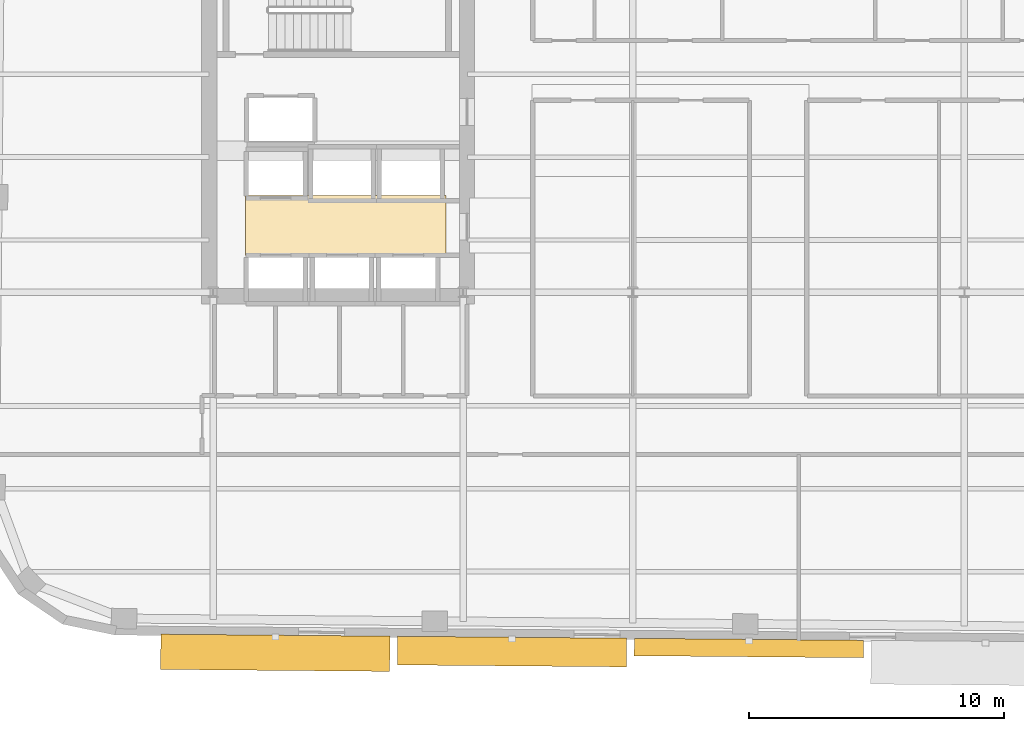
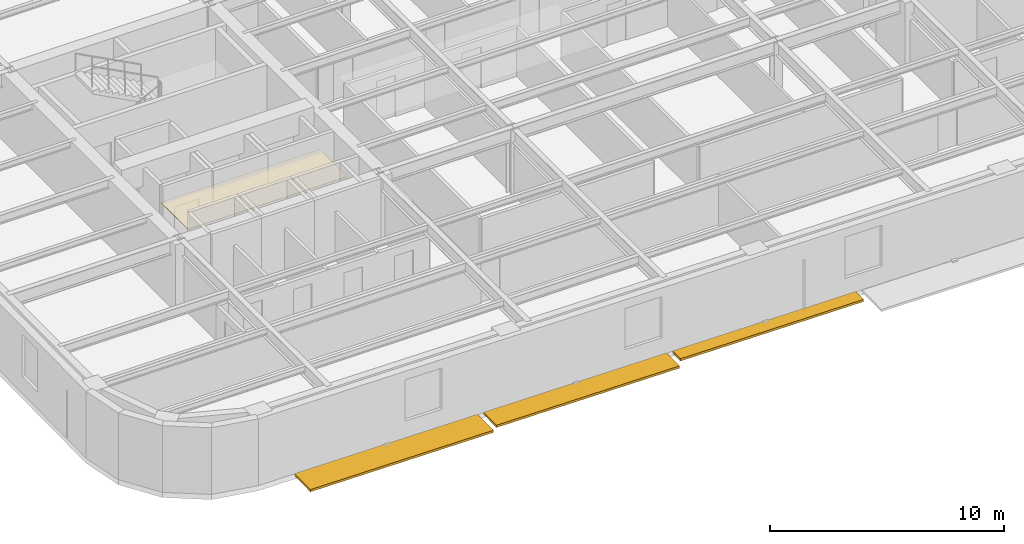
# One storey, part 8 of 11: 3 shading devices, 1 covering.
"""IFC4 building model written with IfcOpenShell, lengths in metres."""

from ifc_helpers import new_model, si_unit, direction, frame, origin, origin_2d, place, context, subcontext, project, spatial, polyline, rectangle, outline, extrude, material, layer, layer_set, type_object, element, save


model = new_model("IFC4")

# Units and contexts
model_context = context("Model", 3, precision=1e-05, world=origin(), true_north=direction((0.0, 1.0)))
body_context = subcontext(model_context, "Body", "Model", "MODEL_VIEW")
ifc_project = project(units=[si_unit("LENGTHUNIT", "METRE"), si_unit("AREAUNIT", "SQUARE_METRE"), si_unit("VOLUMEUNIT", "CUBIC_METRE"), si_unit("PLANEANGLEUNIT", "RADIAN"), si_unit("MASSUNIT", "GRAM", prefix="KILO")], contexts=[model_context])

# Site, building, storey
site_placement = place(None, origin())
site = spatial("IfcSite", under=ifc_project, at=site_placement, CompositionType="ELEMENT")
building_placement = place(site_placement, origin())
building = spatial("IfcBuilding", under=site, at=building_placement, Name="Kolvaren Arena Tower", CompositionType="ELEMENT")
storey_placement = place(building_placement, frame((0.0, 0.0, 180.949951171875)))
storey = spatial("IfcBuildingStorey", under=building, at=storey_placement, Name="L43", CompositionType="ELEMENT", Elevation=180.949951171875)

# Covering
ifc_material_1 = material(Name="Moisture-resistant gypsum ceiling", Category="gypsum")
ifc_layer = layer(ifc_material_1, 0.030029296875)
ifc_layer_set = layer_set([ifc_layer], Name="Moisture-resistant gypsum ceiling")
covering_type = type_object("IfcCoveringType", Name="CEIL-GYP-1", PredefinedType="CEILING", material=ifc_layer_set)
covering_placement = place(storey_placement, frame((0.0, 0.0, 2.52001953125)))
element("IfcCovering", 1, at=covering_placement, inside=storey, type_object=covering_type, Name="Suspended Ceiling (L43)", PredefinedType="CEILING", context=body_context, shape_type="SweptSolid", body=[
    extrude(outline(polyline([(15.820068359375, 20.89990234375), (15.820068359375, 23.239990234375), (23.679931640625, 23.239990234375), (23.679931640625, 20.89990234375), (15.820068359375, 20.89990234375)])), origin(), (0.0, 0.0, 1.0), 0.030029296875),
])

# Shading devices
ifc_material_2 = material(Name="Architectural precast GFRC and anodised aluminium sunshade", Category="concrete")
shading_device_type_1 = type_object("IfcShadingDeviceType", Name="SHAD-SINE-A", PredefinedType="USERDEFINED", material=ifc_material_2)
shading_device_1_placement = place(storey_placement, frame((35.548583984375, 5.507568359375, -0.139892578125), z_axis=(0.0, 0.0, 1.0), x_axis=(-0.999961923064, 0.008726535498, 0.0)))
element("IfcShadingDevice", 2, at=shading_device_1_placement, inside=storey, type_object=shading_device_type_1, Name="Sinusoidal Slab-Edge Sunshade Louvre (L43)", ObjectType="LOUVRE", PredefinedType="USERDEFINED", context=body_context, shape_type="SweptSolid", body=[
    extrude(rectangle(XDim=8.97998046875, YDim=0.68408203125, at=origin_2d()), origin(), (0.0, 0.0, 1.0), 0.1201171875),
])
shading_device_2_placement = place(storey_placement, frame((26.266845703125, 5.368896484375, -0.139892578125), z_axis=(0.0, 0.0, 1.0), x_axis=(-0.999961923064, 0.008726535498, 0.0)))
element("IfcShadingDevice", 3, at=shading_device_2_placement, inside=storey, type_object=shading_device_type_1, Name="Sinusoidal Slab-Edge Sunshade Louvre (L43)", ObjectType="LOUVRE", PredefinedType="USERDEFINED", context=body_context, shape_type="SweptSolid", body=[
    extrude(rectangle(XDim=8.97998046875, YDim=1.123291015625, at=origin_2d()), origin(), (0.0, 0.0, 1.0), 0.1201171875),
])
shading_device_type_2 = type_object("IfcShadingDeviceType", Name="SHAD-SINE-B", PredefinedType="JALOUSIE", material=ifc_material_2)
shading_device_3_placement = place(storey_placement, frame((16.986083984375, 5.321044921875, -0.139892578125), z_axis=(0.0, 0.0, 1.0), x_axis=(-0.999961923064, 0.008726535498, 0.0)))
element("IfcShadingDevice", 4, at=shading_device_3_placement, inside=storey, type_object=shading_device_type_2, Name="Sinusoidal Slab-Edge Sunshade Louvre (L43)", PredefinedType="JALOUSIE", context=body_context, shape_type="SweptSolid", body=[
    extrude(rectangle(XDim=8.97998046875, YDim=1.381103515625, at=origin_2d()), origin(), (0.0, 0.0, 1.0), 0.1201171875),
])

save(model, "model.ifc")
